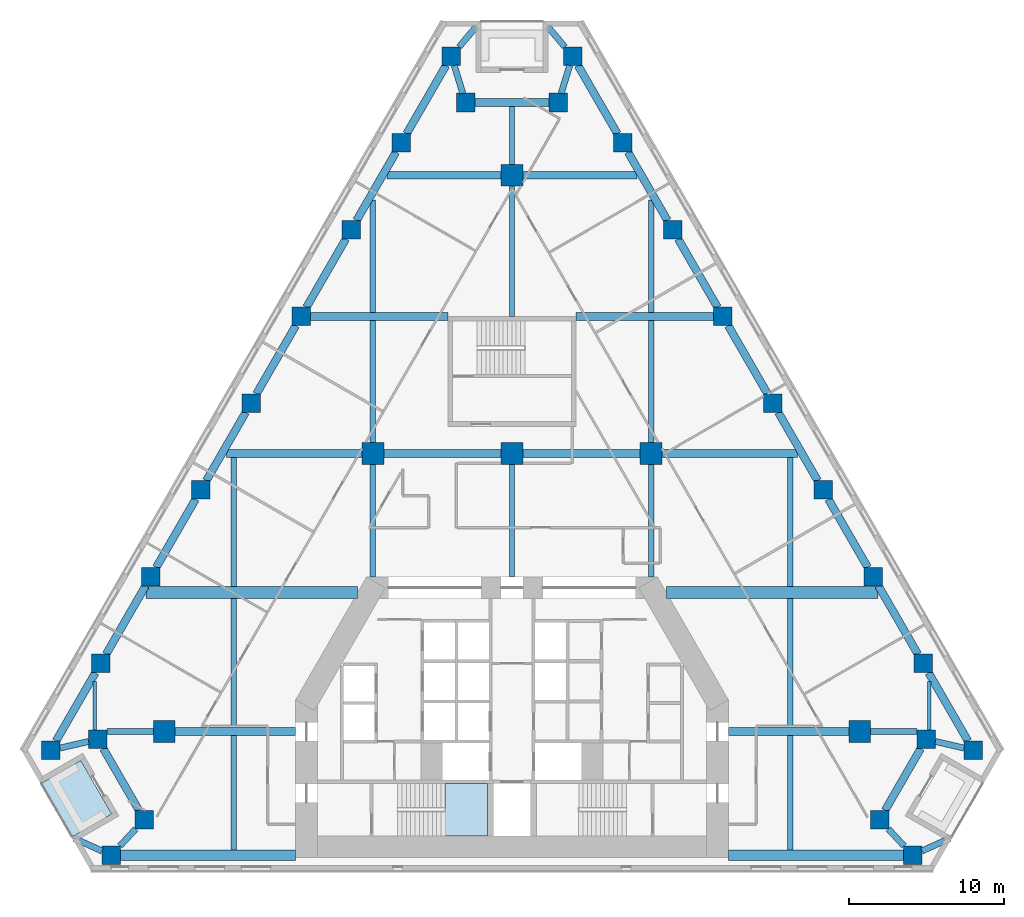
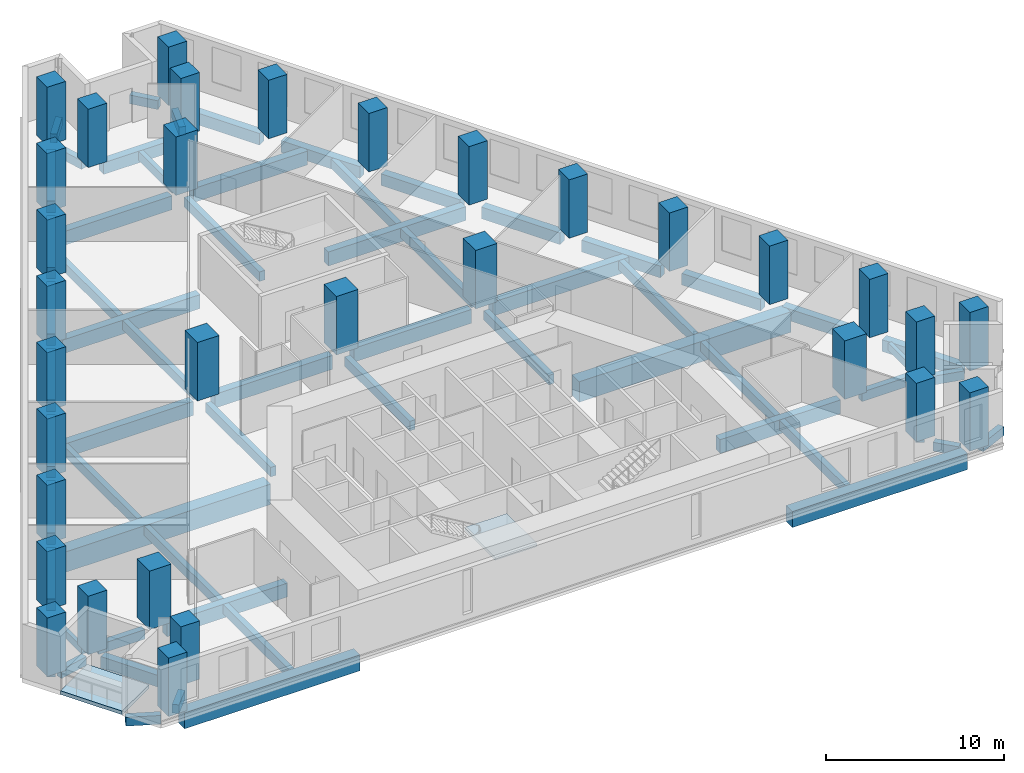
# One storey, part 1 of 11: 62 beams, 32 columns, 2 slabs, 1 element without a shape of its own.
"""IFC4 building model written with IfcOpenShell, lengths in metres."""

from ifc_helpers import new_model, si_unit, direction, frame, origin, origin_2d, place, context, subcontext, project, spatial, polyline, rectangle, outline, extrude, material, layer, layer_set, material_profile, profile_set, type_object, element, aggregate, save


model = new_model("IFC4")

# Units and contexts
model_context = context("Model", 3, precision=1e-05, world=origin(), true_north=direction((0.0, 1.0)))
body_context = subcontext(model_context, "Body", "Model", "MODEL_VIEW")
ifc_project = project(units=[si_unit("LENGTHUNIT", "METRE"), si_unit("AREAUNIT", "SQUARE_METRE"), si_unit("VOLUMEUNIT", "CUBIC_METRE"), si_unit("PLANEANGLEUNIT", "RADIAN"), si_unit("MASSUNIT", "GRAM", prefix="KILO")], contexts=[model_context])

# Site, building, storey
site_placement = place(None, origin())
site = spatial("IfcSite", under=ifc_project, at=site_placement, CompositionType="ELEMENT")
building_placement = place(site_placement, origin())
building = spatial("IfcBuilding", under=site, at=building_placement, Name="Fogline Exchange Tower", CompositionType="ELEMENT")
storey_placement = place(building_placement, frame((0.0, 0.0, 52.89990234375)))
storey = spatial("IfcBuildingStorey", under=building, at=storey_placement, Name="L10", CompositionType="ELEMENT", Elevation=52.89990234375)

# Columns
ifc_material_1 = material(Name="Concrete C80", Category="concrete")
ifc_material_profile_1 = material_profile(ifc_material_1, rectangle(XDim=1.199951171875, YDim=1.199951171875, at=origin_2d()), Name="RC 1200x1200")
ifc_profile_set_1 = profile_set([ifc_material_profile_1], Name="Concrete C80")
column_type_1 = type_object("IfcColumnType", Name="C01", PredefinedType="COLUMN", material=ifc_profile_set_1)
for number, where, z_axis, x_axis, name in (
    (1, (-29.855712890625, 7.794189453125, 0.0), (0.0, 0.0, 1.0), (1.0, 0.0, 0.0), "SW-a"),
    (2, (-26.79638671875, 8.4951171875, 0.0), (0.0, 0.0, 1.0), (1.0, 0.0, 0.0), "SW-p4"),
    (3, (-23.79638671875, 3.299072265625, 0.0), (0.0, 0.0, 1.0), (1.0, 0.0, 0.0), "SW-p3"),
    (4, (-25.93310546875, 1.0, 0.0), (0.0, 0.0, 1.0), (1.0, 0.0, 0.0), "SW-b"),
    (5, (25.93310546875, 1.0, 0.0), (0.0, 0.0, 1.0), (1.0, 0.0, 0.0), "SE-a"),
    (6, (23.79638671875, 3.299072265625, 0.0), (0.0, 0.0, 1.0), (1.0, 0.0, 0.0), "SE-p4"),
    (7, (26.79638671875, 8.4951171875, 0.0), (0.0, 0.0, 1.0), (1.0, 0.0, 0.0), "SE-p3"),
    (8, (29.855712890625, 7.794189453125, 0.0), (0.0, 0.0, 1.0), (1.0, 0.0, 0.0), "SE-b"),
    (9, (26.614013671875, 13.408935546875, 0.0), (0.0, 0.0, 1.0), (1.0, 0.0, 0.0), "E1"),
    (10, (23.37255859375, 19.023681640625, 0.0), (0.0, 0.0, 1.0), (1.0, 0.0, 0.0), "E2"),
    (11, (20.130859375, 24.63818359375, 0.0), (0.0, 0.0, 1.0), (1.0, 0.0, 0.0), "E3"),
    (12, (16.88916015625, 30.2529296875, 0.0), (0.0, 0.0, 1.0), (1.0, 0.0, 0.0), "E4"),
    (13, (13.647705078125, 35.86767578125, 0.0), (0.0, 0.0, 1.0), (1.0, 0.0, 0.0), "E5"),
    (14, (10.406005859375, 41.482421875, 0.0), (0.0, 0.0, 1.0), (1.0, 0.0, 0.0), "E6"),
    (15, (7.164306640625, 47.096923828125, 0.0), (0.0, 0.0, 1.0), (1.0, 0.0, 0.0), "E7"),
    (16, (3.922607421875, 52.711669921875, 0.0), (0.0, 0.0, 1.0), (1.0, 0.0, 0.0), "N-a"),
    (17, (3.0, 49.711669921875, 0.0), (0.0, 0.0, 1.0), (1.0, 0.0, 0.0), "N-p4"),
    (18, (-3.0, 49.711669921875, 0.0), (0.0, 0.0, 1.0), (1.0, 0.0, 0.0), "N-p3"),
    (19, (-3.922607421875, 52.711669921875, 0.0), (0.0, 0.0, 1.0), (1.0, 0.0, 0.0), "N-b"),
    (20, (-7.164306640625, 47.096923828125, 0.0), (0.0, 0.0, 1.0), (1.0, 0.0, 0.0), "W1"),
    (21, (-10.406005859375, 41.482421875, 0.0), (0.0, 0.0, 1.0), (1.0, 0.0, 0.0), "W2"),
    (22, (-13.647705078125, 35.86767578125, 0.0), (0.0, 0.0, 1.0), (1.0, 0.0, 0.0), "W3"),
    (23, (-16.88916015625, 30.2529296875, 0.0), (0.0, 0.0, 1.0), (1.0, 0.0, 0.0), "W4"),
    (24, (-20.130859375, 24.63818359375, 0.0), (0.0, 0.0, 1.0), (1.0, 0.0, 0.0), "W5"),
    (25, (-23.37255859375, 19.023681640625, 0.0), (0.0, 0.0, 1.0), (1.0, 0.0, 0.0), "W6"),
    (26, (-26.614013671875, 13.408935546875, 0.0), (0.0, 0.0, 1.0), (1.0, 0.0, 0.0), "W7"),
):
    element("IfcColumn", number, at=place(storey_placement, frame(where, z_axis=z_axis, x_axis=x_axis)), inside=storey, type_object=column_type_1, Name=name, PredefinedType="COLUMN", context=body_context, shape_type="SweptSolid", body=[
        extrude(rectangle(XDim=1.199951171875, YDim=1.199951171875, at=origin_2d()), origin(), (0.0, 0.0, 1.0), 4.0),
    ])
ifc_material_profile_2 = material_profile(ifc_material_1, rectangle(XDim=1.39990234375, YDim=1.39990234375, at=origin_2d()), Name="RC 1400x1400")
ifc_profile_set_2 = profile_set([ifc_material_profile_2], Name="Concrete C80")
column_type_2 = type_object("IfcColumnType", Name="C02", PredefinedType="COLUMN", material=ifc_profile_set_2)
for number, where, z_axis, x_axis, name in (
    (27, (-9.0, 27.0, 0.0), (0.0, 0.0, 1.0), (1.0, 0.0, 0.0), "IC--9-27"),
    (28, (0.0, 27.0, 0.0), (0.0, 0.0, 1.0), (1.0, 0.0, 0.0), "IC-0-27"),
    (29, (9.0, 27.0, 0.0), (0.0, 0.0, 1.0), (1.0, 0.0, 0.0), "IC-9-27"),
    (30, (0.0, 45.0, 0.0), (0.0, 0.0, 1.0), (1.0, 0.0, 0.0), "IC-0-45"),
    (31, (-22.5, 9.0, 0.0), (0.0, 0.0, 1.0), (1.0, 0.0, 0.0), "IC--225-9"),
    (32, (22.5, 9.0, 0.0), (0.0, 0.0, 1.0), (1.0, 0.0, 0.0), "IC-225-9"),
):
    element("IfcColumn", number, at=place(storey_placement, frame(where, z_axis=z_axis, x_axis=x_axis)), inside=storey, type_object=column_type_2, Name=name, PredefinedType="COLUMN", context=body_context, shape_type="SweptSolid", body=[
        extrude(rectangle(XDim=1.39990234375, YDim=1.39990234375, at=origin_2d()), origin(), (0.0, 0.0, 1.0), 4.0),
    ])

# Beams
ifc_material_2 = material(Name="Concrete C40", Category="concrete")
ifc_material_profile_3 = material_profile(ifc_material_2, rectangle(XDim=0.300048828125, YDim=0.60009765625, at=origin_2d()), Name="RC 300x600")
ifc_profile_set_3 = profile_set([ifc_material_profile_3], Name="Concrete C40")
beam_type_1 = type_object("IfcBeamType", Name="B06", PredefinedType="BEAM", material=ifc_profile_set_3)
beam_1_placement = place(storey_placement, frame((0.0, 45.699951171875, -0.599853515625), z_axis=(0.0, 1.0, 0.0), x_axis=(-1.0, 0.0, 0.0)))
element("IfcBeam", 33, at=beam_1_placement, inside=storey, type_object=beam_type_1, Name="SB010", PredefinedType="BEAM", context=body_context, shape_type="SweptSolid", body=[
    extrude(rectangle(XDim=0.300048828125, YDim=0.60009765625, at=origin_2d()), origin(), (0.0, 0.0, 1.0), 3.76171875),
])
ifc_material_profile_4 = material_profile(ifc_material_2, rectangle(XDim=0.25, YDim=0.5, at=origin_2d()), Name="RC 250x500")
ifc_profile_set_4 = profile_set([ifc_material_profile_4], Name="Concrete C40")
beam_type_2 = type_object("IfcBeamType", Name="B08", PredefinedType="BEAM", material=ifc_profile_set_4)
for number, where, z_axis, x_axis, name in (
    (34, (-27.0, 9.09521484375, -0.5498046875), (0.0, 1.0, 0.0), (-1.0, 0.0, 0.0), "SB001"),
    (35, (27.0, 9.09521484375, -0.5498046875), (0.0, 1.0, 0.0), (-1.0, 0.0, 0.0), "SB017"),
):
    element("IfcBeam", number, at=place(storey_placement, frame(where, z_axis=z_axis, x_axis=x_axis)), inside=storey, type_object=beam_type_2, Name=name, PredefinedType="BEAM", context=body_context, shape_type="SweptSolid", body=[
        extrude(rectangle(XDim=0.25, YDim=0.5, at=origin_2d()), origin(), (0.0, 0.0, 1.0), 3.145263671875),
    ])
ifc_material_profile_5 = material_profile(ifc_material_2, rectangle(XDim=0.5, YDim=0.800048828125, at=origin_2d()), Name="RC 500x800")
ifc_profile_set_5 = profile_set([ifc_material_profile_5], Name="Concrete C40")
beam_type_3 = type_object("IfcBeamType", Name="B10", PredefinedType="BEAM", material=ifc_profile_set_5)
for number, where, z_axis, x_axis, name in (
    (36, (-26.449951171875, 7.895263671875, -0.699951171875), (0.500014024385, -0.866017306651, 0.0), (0.866017306651, 0.500014024385, 0.0), "RB002"),
    (37, (24.142578125, 3.89892578125, -0.699951171875), (0.500014024385, 0.866017306651, 0.0), (-0.866017306651, 0.500014024385, 0.0), "RB007"),
):
    element("IfcBeam", number, at=place(storey_placement, frame(where, z_axis=z_axis, x_axis=x_axis)), inside=storey, type_object=beam_type_3, Name=name, PredefinedType="BEAM", context=body_context, shape_type="SweptSolid", body=[
        extrude(rectangle(XDim=0.5, YDim=0.800048828125, at=origin_2d()), origin(), (0.0, 0.0, 1.0), 4.614501953125),
    ])
beam_2_placement = place(storey_placement, frame((29.50927734375, 8.394287109375, -0.699951171875), z_axis=(-0.500012659481, 0.866018094706, 0.0), x_axis=(-0.866018094706, -0.500012659481, 0.0)))
element("IfcBeam", 38, at=beam_2_placement, inside=storey, type_object=beam_type_3, Name="RB009", PredefinedType="BEAM", context=body_context, shape_type="SweptSolid", body=[
    extrude(rectangle(XDim=0.5, YDim=0.800048828125, at=origin_2d()), origin(), (0.0, 0.0, 1.0), 5.097412109375),
])
for number, where, z_axis, x_axis, name in (
    (39, (26.267578125, 14.0087890625, -0.699951171875), (-0.499956000529, 0.8660508054, 0.0), (-0.8660508054, -0.499956000529, 0.0), "RB010"),
    (40, (23.026123046875, 19.62353515625, -0.699951171875), (-0.499991921166, 0.866030068051, 0.0), (-0.866030068051, -0.499991921166, 0.0), "RB011"),
):
    element("IfcBeam", number, at=place(storey_placement, frame(where, z_axis=z_axis, x_axis=x_axis)), inside=storey, type_object=beam_type_3, Name=name, PredefinedType="BEAM", context=body_context, shape_type="SweptSolid", body=[
        extrude(rectangle(XDim=0.5, YDim=0.800048828125, at=origin_2d()), origin(), (0.0, 0.0, 1.0), 5.09765625),
    ])
beam_3_placement = place(storey_placement, frame((19.784423828125, 25.23828125, -0.699951171875), z_axis=(-0.500012659481, 0.866018094706, 0.0), x_axis=(-0.866018094706, -0.500012659481, 0.0)))
element("IfcBeam", 41, at=beam_3_placement, inside=storey, type_object=beam_type_3, Name="RB012", PredefinedType="BEAM", context=body_context, shape_type="SweptSolid", body=[
    extrude(rectangle(XDim=0.5, YDim=0.800048828125, at=origin_2d()), origin(), (0.0, 0.0, 1.0), 5.097412109375),
])
for number, where, z_axis, x_axis, name in (
    (42, (16.542724609375, 30.852783203125, -0.699951171875), (-0.499991921166, 0.866030068051, 0.0), (-0.866030068051, -0.499991921166, 0.0), "RB013"),
    (43, (13.301025390625, 36.467529296875, -0.699951171875), (-0.499991921166, 0.866030068051, 0.0), (-0.866030068051, -0.499991921166, 0.0), "RB014"),
    (44, (10.0595703125, 42.082275390625, -0.699951171875), (-0.499991921166, 0.866030068051, 0.0), (-0.866030068051, -0.499991921166, 0.0), "RB015"),
    (45, (6.81787109375, 47.697021484375, -0.699951171875), (-0.499991921166, 0.866030068051, 0.0), (-0.866030068051, -0.499991921166, 0.0), "RB016"),
):
    element("IfcBeam", number, at=place(storey_placement, frame(where, z_axis=z_axis, x_axis=x_axis)), inside=storey, type_object=beam_type_3, Name=name, PredefinedType="BEAM", context=body_context, shape_type="SweptSolid", body=[
        extrude(rectangle(XDim=0.5, YDim=0.800048828125, at=origin_2d()), origin(), (0.0, 0.0, 1.0), 5.09765625),
    ])
beam_4_placement = place(storey_placement, frame((2.39990234375, 49.711669921875, -0.699951171875), z_axis=(-1.0, 0.0, 0.0), x_axis=(0.0, -1.0, 0.0)))
element("IfcBeam", 46, at=beam_4_placement, inside=storey, type_object=beam_type_3, Name="RB018", PredefinedType="BEAM", context=body_context, shape_type="SweptSolid", body=[
    extrude(rectangle(XDim=0.5, YDim=0.800048828125, at=origin_2d()), origin(), (0.0, 0.0, 1.0), 4.7998046875),
])
for number, where, z_axis, x_axis, name in (
    (47, (-4.26904296875, 52.11181640625, -0.699951171875), (-0.499991921166, -0.866030068051, 0.0), (0.866030068051, -0.499991921166, 0.0), "RB020"),
    (48, (-7.5107421875, 46.4970703125, -0.699951171875), (-0.499991921166, -0.866030068051, 0.0), (0.866030068051, -0.499991921166, 0.0), "RB021"),
    (49, (-10.752197265625, 40.88232421875, -0.699951171875), (-0.499991921166, -0.866030068051, 0.0), (0.866030068051, -0.499991921166, 0.0), "RB022"),
    (50, (-13.993896484375, 35.267578125, -0.699951171875), (-0.499991921166, -0.866030068051, 0.0), (0.866030068051, -0.499991921166, 0.0), "RB023"),
):
    element("IfcBeam", number, at=place(storey_placement, frame(where, z_axis=z_axis, x_axis=x_axis)), inside=storey, type_object=beam_type_3, Name=name, PredefinedType="BEAM", context=body_context, shape_type="SweptSolid", body=[
        extrude(rectangle(XDim=0.5, YDim=0.800048828125, at=origin_2d()), origin(), (0.0, 0.0, 1.0), 5.09765625),
    ])
beam_5_placement = place(storey_placement, frame((-17.235595703125, 29.65283203125, -0.699951171875), z_axis=(-0.500012659481, -0.866018094706, 0.0), x_axis=(0.866018094706, -0.500012659481, 0.0)))
element("IfcBeam", 51, at=beam_5_placement, inside=storey, type_object=beam_type_3, Name="RB024", PredefinedType="BEAM", context=body_context, shape_type="SweptSolid", body=[
    extrude(rectangle(XDim=0.5, YDim=0.800048828125, at=origin_2d()), origin(), (0.0, 0.0, 1.0), 5.097412109375),
])
for number, where, z_axis, x_axis, name in (
    (52, (-20.477294921875, 24.038330078125, -0.699951171875), (-0.499991921166, -0.866030068051, 0.0), (0.866030068051, -0.499991921166, 0.0), "RB025"),
    (53, (-23.718994140625, 18.423583984375, -0.699951171875), (-0.499956000529, -0.8660508054, 0.0), (0.8660508054, -0.499956000529, 0.0), "RB026"),
):
    element("IfcBeam", number, at=place(storey_placement, frame(where, z_axis=z_axis, x_axis=x_axis)), inside=storey, type_object=beam_type_3, Name=name, PredefinedType="BEAM", context=body_context, shape_type="SweptSolid", body=[
        extrude(rectangle(XDim=0.5, YDim=0.800048828125, at=origin_2d()), origin(), (0.0, 0.0, 1.0), 5.09765625),
    ])
beam_6_placement = place(storey_placement, frame((-26.96044921875, 12.808837890625, -0.699951171875), z_axis=(-0.500012659481, -0.866018094706, 0.0), x_axis=(0.866018094706, -0.500012659481, 0.0)))
element("IfcBeam", 54, at=beam_6_placement, inside=storey, type_object=beam_type_3, Name="RB027", PredefinedType="BEAM", context=body_context, shape_type="SweptSolid", body=[
    extrude(rectangle(XDim=0.5, YDim=0.800048828125, at=origin_2d()), origin(), (0.0, 0.0, 1.0), 5.097412109375),
])
ifc_material_profile_6 = material_profile(ifc_material_2, rectangle(XDim=0.39990234375, YDim=0.60009765625, at=origin_2d()), Name="RC 400x600")
ifc_profile_set_6 = profile_set([ifc_material_profile_6], Name="Concrete C40")
beam_type_4 = type_object("IfcBeamType", Name="B11", PredefinedType="BEAM", material=ifc_profile_set_6)
beam_7_placement = place(storey_placement, frame((-29.255615234375, 7.931640625, -0.599853515625), z_axis=(0.974741606569, 0.223335622829, 0.0), x_axis=(-0.223335622829, 0.974741606569, 0.0)))
element("IfcBeam", 55, at=beam_7_placement, inside=storey, type_object=beam_type_4, Name="RB001", PredefinedType="BEAM", context=body_context, shape_type="SweptSolid", body=[
    extrude(rectangle(XDim=0.39990234375, YDim=0.60009765625, at=origin_2d()), origin(), (0.0, 0.0, 1.0), 1.907470703125),
])
for number, where, z_axis, x_axis, name in (
    (56, (-24.35400390625, 2.698974609375, -0.599853515625), (-0.680844217962, -0.732428256464, 0.0), (0.732428256464, -0.680844217962, 0.0), "RB003"),
    (57, (25.37548828125, 1.60009765625, -0.599853515625), (-0.680844217962, 0.732428256464, 0.0), (-0.732428256464, -0.680844217962, 0.0), "RB006"),
):
    element("IfcBeam", number, at=place(storey_placement, frame(where, z_axis=z_axis, x_axis=x_axis)), inside=storey, type_object=beam_type_4, Name=name, PredefinedType="BEAM", context=body_context, shape_type="SweptSolid", body=[
        extrude(rectangle(XDim=0.39990234375, YDim=0.60009765625, at=origin_2d()), origin(), (0.0, 0.0, 1.0), 1.500244140625),
    ])
beam_8_placement = place(storey_placement, frame((27.396240234375, 8.357666015625, -0.599853515625), z_axis=(0.974741606569, -0.223335622829, 0.0), x_axis=(0.223335622829, 0.974741606569, 0.0)))
element("IfcBeam", 58, at=beam_8_placement, inside=storey, type_object=beam_type_4, Name="RB008", PredefinedType="BEAM", context=body_context, shape_type="SweptSolid", body=[
    extrude(rectangle(XDim=0.39990234375, YDim=0.60009765625, at=origin_2d()), origin(), (0.0, 0.0, 1.0), 1.907470703125),
])
for number, where, z_axis, x_axis, name in (
    (59, (3.738037109375, 52.11181640625, -0.599853515625), (-0.293894535925, -0.955837853275, 0.0), (0.955837853275, -0.293894535925, 0.0), "RB017"),
    (60, (-3.1845703125, 50.311767578125, -0.599853515625), (-0.293894535925, 0.955837853275, 0.0), (-0.955837853275, -0.293894535925, 0.0), "RB019"),
):
    element("IfcBeam", number, at=place(storey_placement, frame(where, z_axis=z_axis, x_axis=x_axis)), inside=storey, type_object=beam_type_4, Name=name, PredefinedType="BEAM", context=body_context, shape_type="SweptSolid", body=[
        extrude(rectangle(XDim=0.39990234375, YDim=0.60009765625, at=origin_2d()), origin(), (0.0, 0.0, 1.0), 1.88330078125),
    ])
beam_9_placement = place(storey_placement, frame((3.418701171875, 53.311767578125, -0.599853515625), z_axis=(-0.643051132195, 0.765823244217, 0.0), x_axis=(-0.765823244217, -0.643051132195, 0.0)))
element("IfcBeam", 61, at=beam_9_placement, inside=storey, type_object=beam_type_4, Name="SP028", PredefinedType="BEAM", context=body_context, shape_type="SweptSolid", body=[
    extrude(rectangle(XDim=0.39990234375, YDim=0.60009765625, at=origin_2d()), origin(), (0.0, 0.0, 1.0), 1.706298828125),
])
beam_10_placement = place(storey_placement, frame((-3.41943359375, 53.311767578125, -0.599853515625), z_axis=(0.642644786518, 0.766164263303, 0.0), x_axis=(-0.766164263303, 0.642644786518, 0.0)))
element("IfcBeam", 62, at=beam_10_placement, inside=storey, type_object=beam_type_4, Name="SP029", PredefinedType="BEAM", context=body_context, shape_type="SweptSolid", body=[
    extrude(rectangle(XDim=0.39990234375, YDim=0.60009765625, at=origin_2d()), origin(), (0.0, 0.0, 1.0), 1.705810546875),
])
beam_11_placement = place(storey_placement, frame((26.533203125, 1.27197265625, -0.599853515625), z_axis=(0.91087792789, 0.412675902473, 0.0), x_axis=(-0.412675902473, 0.91087792789, 0.0)))
element("IfcBeam", 63, at=beam_11_placement, inside=storey, type_object=beam_type_4, Name="SP030", PredefinedType="BEAM", context=body_context, shape_type="SweptSolid", body=[
    extrude(rectangle(XDim=0.39990234375, YDim=0.60009765625, at=origin_2d()), origin(), (0.0, 0.0, 1.0), 1.975341796875),
])
beam_12_placement = place(storey_placement, frame((-26.533203125, 1.271484375, -0.599853515625), z_axis=(-0.911050486543, 0.412294810748, 0.0), x_axis=(-0.412294810748, -0.911050486543, 0.0)))
element("IfcBeam", 64, at=beam_12_placement, inside=storey, type_object=beam_type_4, Name="SP031", PredefinedType="BEAM", context=body_context, shape_type="SweptSolid", body=[
    extrude(rectangle(XDim=0.39990234375, YDim=0.60009765625, at=origin_2d()), origin(), (0.0, 0.0, 1.0), 1.9765625),
])
ifc_material_profile_7 = material_profile(ifc_material_2, rectangle(XDim=0.699951171875, YDim=1.10009765625, at=origin_2d()), Name="RC 700x1100")
ifc_profile_set_7 = profile_set([ifc_material_profile_7], Name="Concrete C40")
beam_type_5 = type_object("IfcBeamType", Name="B12", PredefinedType="BEAM", material=ifc_profile_set_7)
for number, where, z_axis, x_axis, name in (
    (65, (-25.3330078125, 1.0, -0.849853515625), (1.0, 0.0, 0.0), (0.0, 1.0, 0.0), "RB004"),
    (66, (14.0, 1.0, -0.849853515625), (1.0, 0.0, 0.0), (0.0, 1.0, 0.0), "RB005"),
):
    element("IfcBeam", number, at=place(storey_placement, frame(where, z_axis=z_axis, x_axis=x_axis)), inside=storey, type_object=beam_type_5, Name=name, PredefinedType="BEAM", context=body_context, shape_type="SweptSolid", body=[
        extrude(rectangle(XDim=0.699951171875, YDim=1.10009765625, at=origin_2d()), origin(), (0.0, 0.0, 1.0), 11.3330078125),
    ])
ifc_material_profile_8 = material_profile(ifc_material_2, rectangle(XDim=0.39990234375, YDim=0.64990234375, at=origin_2d()), Name="RC 400x650")
ifc_profile_set_8 = profile_set([ifc_material_profile_8], Name="Concrete C40")
beam_type_6 = type_object("IfcBeamType", Name="B13", PredefinedType="BEAM", material=ifc_profile_set_8)
for number, where, z_axis, x_axis, name in (
    (67, (-26.1962890625, 9.0, -0.625), (1.0, 0.0, 0.0), (0.0, 1.0, 0.0), "GB001"),
    (68, (23.199951171875, 9.0, -0.625), (1.0, 0.0, 0.0), (0.0, 1.0, 0.0), "GB004"),
):
    element("IfcBeam", number, at=place(storey_placement, frame(where, z_axis=z_axis, x_axis=x_axis)), inside=storey, type_object=beam_type_6, Name=name, PredefinedType="BEAM", context=body_context, shape_type="SweptSolid", body=[
        extrude(rectangle(XDim=0.39990234375, YDim=0.64990234375, at=origin_2d()), origin(), (0.0, 0.0, 1.0), 2.996337890625),
    ])
ifc_material_profile_9 = material_profile(ifc_material_2, rectangle(XDim=0.5, YDim=0.949951171875, at=origin_2d()), Name="RC 500x950")
ifc_profile_set_9 = profile_set([ifc_material_profile_9], Name="Concrete C40")
beam_type_7 = type_object("IfcBeamType", Name="B14", PredefinedType="BEAM", material=ifc_profile_set_9)
for number, where, z_axis, x_axis, name in (
    (69, (-21.800048828125, 9.0, -0.77490234375), (1.0, 0.0, 0.0), (0.0, 1.0, 0.0), "GB002"),
    (70, (14.0, 9.0, -0.77490234375), (1.0, 0.0, 0.0), (0.0, 1.0, 0.0), "GB003"),
):
    element("IfcBeam", number, at=place(storey_placement, frame(where, z_axis=z_axis, x_axis=x_axis)), inside=storey, type_object=beam_type_7, Name=name, PredefinedType="BEAM", context=body_context, shape_type="SweptSolid", body=[
        extrude(rectangle(XDim=0.5, YDim=0.949951171875, at=origin_2d()), origin(), (0.0, 0.0, 1.0), 7.800048828125),
    ])
beam_13_placement = place(storey_placement, frame((-18.478515625, 27.0, -0.77490234375), z_axis=(1.0, 0.0, 0.0), x_axis=(0.0, 1.0, 0.0)))
element("IfcBeam", 71, at=beam_13_placement, inside=storey, type_object=beam_type_7, Name="GB007", PredefinedType="BEAM", context=body_context, shape_type="SweptSolid", body=[
    extrude(rectangle(XDim=0.5, YDim=0.949951171875, at=origin_2d()), origin(), (0.0, 0.0, 1.0), 8.778564453125),
])
for number, where, z_axis, x_axis, name in (
    (72, (-8.300048828125, 27.0, -0.77490234375), (1.0, 0.0, 0.0), (0.0, 1.0, 0.0), "GB008"),
    (73, (0.699951171875, 27.0, -0.77490234375), (1.0, 0.0, 0.0), (0.0, 1.0, 0.0), "GB009"),
):
    element("IfcBeam", number, at=place(storey_placement, frame(where, z_axis=z_axis, x_axis=x_axis)), inside=storey, type_object=beam_type_7, Name=name, PredefinedType="BEAM", context=body_context, shape_type="SweptSolid", body=[
        extrude(rectangle(XDim=0.5, YDim=0.949951171875, at=origin_2d()), origin(), (0.0, 0.0, 1.0), 7.60009765625),
    ])
beam_14_placement = place(storey_placement, frame((9.699951171875, 27.0, -0.77490234375), z_axis=(1.0, 0.0, 0.0), x_axis=(0.0, 1.0, 0.0)))
element("IfcBeam", 74, at=beam_14_placement, inside=storey, type_object=beam_type_7, Name="GB010", PredefinedType="BEAM", context=body_context, shape_type="SweptSolid", body=[
    extrude(rectangle(XDim=0.5, YDim=0.949951171875, at=origin_2d()), origin(), (0.0, 0.0, 1.0), 8.778564453125),
])
for number, where, z_axis, x_axis, name in (
    (75, (-13.047607421875, 35.85693359375, -0.77490234375), (1.0, 0.0, 0.0), (0.0, 1.0, 0.0), "GB011"),
    (76, (4.14990234375, 35.85693359375, -0.77490234375), (1.0, 0.0, 0.0), (0.0, 1.0, 0.0), "GB012"),
):
    element("IfcBeam", number, at=place(storey_placement, frame(where, z_axis=z_axis, x_axis=x_axis)), inside=storey, type_object=beam_type_7, Name=name, PredefinedType="BEAM", context=body_context, shape_type="SweptSolid", body=[
        extrude(rectangle(XDim=0.5, YDim=0.949951171875, at=origin_2d()), origin(), (0.0, 0.0, 1.0), 8.897705078125),
    ])
for number, where, z_axis, x_axis, name in (
    (77, (-8.086181640625, 45.0, -0.77490234375), (1.0, 0.0, 0.0), (0.0, 1.0, 0.0), "GB013"),
    (78, (0.699951171875, 45.0, -0.77490234375), (1.0, 0.0, 0.0), (0.0, 1.0, 0.0), "GB014"),
):
    element("IfcBeam", number, at=place(storey_placement, frame(where, z_axis=z_axis, x_axis=x_axis)), inside=storey, type_object=beam_type_7, Name=name, PredefinedType="BEAM", context=body_context, shape_type="SweptSolid", body=[
        extrude(rectangle(XDim=0.5, YDim=0.949951171875, at=origin_2d()), origin(), (0.0, 0.0, 1.0), 7.38623046875),
    ])
ifc_material_profile_10 = material_profile(ifc_material_2, rectangle(XDim=0.800048828125, YDim=1.39990234375, at=origin_2d()), Name="RC 800x1400")
ifc_profile_set_10 = profile_set([ifc_material_profile_10], Name="Concrete C40")
beam_type_8 = type_object("IfcBeamType", Name="B15", PredefinedType="BEAM", material=ifc_profile_set_10)
for number, where, z_axis, x_axis, name in (
    (79, (-23.6748046875, 18.0, -1.0), (1.0, 0.0, 0.0), (0.0, 1.0, 0.0), "GB005"),
    (80, (9.989013671875, 18.0, -1.0), (1.0, 0.0, 0.0), (0.0, 1.0, 0.0), "GB006"),
):
    element("IfcBeam", number, at=place(storey_placement, frame(where, z_axis=z_axis, x_axis=x_axis)), inside=storey, type_object=beam_type_8, Name=name, PredefinedType="BEAM", context=body_context, shape_type="SweptSolid", body=[
        extrude(rectangle(XDim=0.800048828125, YDim=1.39990234375, at=origin_2d()), origin(), (0.0, 0.0, 1.0), 13.685791015625),
    ])
ifc_material_profile_11 = material_profile(ifc_material_2, rectangle(XDim=0.35009765625, YDim=0.64990234375, at=origin_2d()), Name="RC 350x650")
ifc_profile_set_11 = profile_set([ifc_material_profile_11], Name="Concrete C40")
beam_type_9 = type_object("IfcBeamType", Name="B16", PredefinedType="BEAM", material=ifc_profile_set_11)
beam_15_placement = place(storey_placement, frame((-18.0, 1.35009765625, -0.625), z_axis=(0.0, 1.0, 0.0), x_axis=(-1.0, 0.0, 0.0)))
element("IfcBeam", 81, at=beam_15_placement, inside=storey, type_object=beam_type_9, Name="SB002", PredefinedType="BEAM", context=body_context, shape_type="SweptSolid", body=[
    extrude(rectangle(XDim=0.35009765625, YDim=0.64990234375, at=origin_2d()), origin(), (0.0, 0.0, 1.0), 7.39990234375),
])
for number, where, z_axis, x_axis, name in (
    (82, (-18.0, 9.25, -0.625), (0.0, 1.0, 0.0), (-1.0, 0.0, 0.0), "SB003"),
    (83, (-18.0, 18.39990234375, -0.625), (0.0, 1.0, 0.0), (-1.0, 0.0, 0.0), "SB004"),
):
    element("IfcBeam", number, at=place(storey_placement, frame(where, z_axis=z_axis, x_axis=x_axis)), inside=storey, type_object=beam_type_9, Name=name, PredefinedType="BEAM", context=body_context, shape_type="SweptSolid", body=[
        extrude(rectangle(XDim=0.35009765625, YDim=0.64990234375, at=origin_2d()), origin(), (0.0, 0.0, 1.0), 8.35009765625),
    ])
beam_16_placement = place(storey_placement, frame((-9.0, 19.0, -0.625), z_axis=(0.0, 1.0, 0.0), x_axis=(-1.0, 0.0, 0.0)))
element("IfcBeam", 84, at=beam_16_placement, inside=storey, type_object=beam_type_9, Name="SB005", PredefinedType="BEAM", context=body_context, shape_type="SweptSolid", body=[
    extrude(rectangle(XDim=0.35009765625, YDim=0.64990234375, at=origin_2d()), origin(), (0.0, 0.0, 1.0), 7.300048828125),
])
beam_17_placement = place(storey_placement, frame((-9.0, 27.699951171875, -0.625), z_axis=(0.0, 1.0, 0.0), x_axis=(-1.0, 0.0, 0.0)))
element("IfcBeam", 85, at=beam_17_placement, inside=storey, type_object=beam_type_9, Name="SB006", PredefinedType="BEAM", context=body_context, shape_type="SweptSolid", body=[
    extrude(rectangle(XDim=0.35009765625, YDim=0.64990234375, at=origin_2d()), origin(), (0.0, 0.0, 1.0), 7.906982421875),
])
beam_18_placement = place(storey_placement, frame((-9.0, 36.10693359375, -0.625), z_axis=(0.0, 1.0, 0.0), x_axis=(-1.0, 0.0, 0.0)))
element("IfcBeam", 86, at=beam_18_placement, inside=storey, type_object=beam_type_9, Name="SB007", PredefinedType="BEAM", context=body_context, shape_type="SweptSolid", body=[
    extrude(rectangle(XDim=0.35009765625, YDim=0.64990234375, at=origin_2d()), origin(), (0.0, 0.0, 1.0), 7.310546875),
])
beam_19_placement = place(storey_placement, frame((0.0, 19.0, -0.625), z_axis=(0.0, 1.0, 0.0), x_axis=(-1.0, 0.0, 0.0)))
element("IfcBeam", 87, at=beam_19_placement, inside=storey, type_object=beam_type_9, Name="SB008", PredefinedType="BEAM", context=body_context, shape_type="SweptSolid", body=[
    extrude(rectangle(XDim=0.35009765625, YDim=0.64990234375, at=origin_2d()), origin(), (0.0, 0.0, 1.0), 7.300048828125),
])
beam_20_placement = place(storey_placement, frame((0.0, 35.85693359375, -0.625), z_axis=(0.0, 1.0, 0.0), x_axis=(-1.0, 0.0, 0.0)))
element("IfcBeam", 88, at=beam_20_placement, inside=storey, type_object=beam_type_9, Name="SB009", PredefinedType="BEAM", context=body_context, shape_type="SweptSolid", body=[
    extrude(rectangle(XDim=0.35009765625, YDim=0.64990234375, at=origin_2d()), origin(), (0.0, 0.0, 1.0), 8.443115234375),
])
beam_21_placement = place(storey_placement, frame((9.0, 19.0, -0.625), z_axis=(0.0, 1.0, 0.0), x_axis=(-1.0, 0.0, 0.0)))
element("IfcBeam", 89, at=beam_21_placement, inside=storey, type_object=beam_type_9, Name="SB011", PredefinedType="BEAM", context=body_context, shape_type="SweptSolid", body=[
    extrude(rectangle(XDim=0.35009765625, YDim=0.64990234375, at=origin_2d()), origin(), (0.0, 0.0, 1.0), 7.300048828125),
])
beam_22_placement = place(storey_placement, frame((9.0, 27.699951171875, -0.625), z_axis=(0.0, 1.0, 0.0), x_axis=(-1.0, 0.0, 0.0)))
element("IfcBeam", 90, at=beam_22_placement, inside=storey, type_object=beam_type_9, Name="SB012", PredefinedType="BEAM", context=body_context, shape_type="SweptSolid", body=[
    extrude(rectangle(XDim=0.35009765625, YDim=0.64990234375, at=origin_2d()), origin(), (0.0, 0.0, 1.0), 7.906982421875),
])
beam_23_placement = place(storey_placement, frame((9.0, 36.10693359375, -0.625), z_axis=(0.0, 1.0, 0.0), x_axis=(-1.0, 0.0, 0.0)))
element("IfcBeam", 91, at=beam_23_placement, inside=storey, type_object=beam_type_9, Name="SB013", PredefinedType="BEAM", context=body_context, shape_type="SweptSolid", body=[
    extrude(rectangle(XDim=0.35009765625, YDim=0.64990234375, at=origin_2d()), origin(), (0.0, 0.0, 1.0), 7.310546875),
])
beam_24_placement = place(storey_placement, frame((18.0, 1.35009765625, -0.625), z_axis=(0.0, 1.0, 0.0), x_axis=(-1.0, 0.0, 0.0)))
element("IfcBeam", 92, at=beam_24_placement, inside=storey, type_object=beam_type_9, Name="SB014", PredefinedType="BEAM", context=body_context, shape_type="SweptSolid", body=[
    extrude(rectangle(XDim=0.35009765625, YDim=0.64990234375, at=origin_2d()), origin(), (0.0, 0.0, 1.0), 7.39990234375),
])
for number, where, z_axis, x_axis, name in (
    (93, (18.0, 9.25, -0.625), (0.0, 1.0, 0.0), (-1.0, 0.0, 0.0), "SB015"),
    (94, (18.0, 18.39990234375, -0.625), (0.0, 1.0, 0.0), (-1.0, 0.0, 0.0), "SB016"),
):
    element("IfcBeam", number, at=place(storey_placement, frame(where, z_axis=z_axis, x_axis=x_axis)), inside=storey, type_object=beam_type_9, Name=name, PredefinedType="BEAM", context=body_context, shape_type="SweptSolid", body=[
        extrude(rectangle(XDim=0.35009765625, YDim=0.64990234375, at=origin_2d()), origin(), (0.0, 0.0, 1.0), 8.35009765625),
    ])

# Slab
ifc_layer_1 = layer(ifc_material_2, 0.25)
ifc_layer_set_1 = layer_set([ifc_layer_1], Name="DK1")
slab_type_1 = type_object("IfcSlabType", Name="DK1", PredefinedType="FLOOR", material=ifc_layer_set_1)
slab_1_placement = place(storey_placement, frame((0.0, 0.0, -0.25)))
element("IfcSlab", 95, at=slab_1_placement, inside=storey, type_object=slab_type_1, Name="Balcony L10 SW", PredefinedType="FLOOR", context=body_context, shape_type="SweptSolid", body=[
    extrude(outline(polyline([(-30.505126953125, 5.629150390625), (-28.505126953125, 2.1650390625), (-25.906982421875, 3.6650390625), (-27.906982421875, 7.129150390625), (-30.505126953125, 5.629150390625)])), origin(), (0.0, 0.0, 1.0), 0.25),
])

# Stair, slab
stair_type = type_object("IfcStairType", Name="STR24-1667", PredefinedType="HALF_TURN_STAIR", material=ifc_material_2)
stair_placement = place(storey_placement, origin())
stair = element("IfcStair", 96, at=stair_placement, inside=storey, type_object=stair_type, Name="Stair ST1", PredefinedType="HALF_TURN_STAIR")
ifc_layer_2 = layer(ifc_material_2, 0.199951171875)
ifc_layer_set_2 = layer_set([ifc_layer_2], Name="SL200")
slab_type_2 = type_object("IfcSlabType", Name="SL200", PredefinedType="LANDING", material=ifc_layer_set_2)
slab_2_placement = place(storey_placement, frame((0.0, 0.0, 1.800048828125)))
slab_2 = element("IfcSlab", 97, at=slab_2_placement, type_object=slab_type_2, Name="ST1 landing 1", PredefinedType="LANDING", context=body_context, shape_type="SweptSolid", body=[
    extrude(outline(polyline([(-4.320068359375, 2.25), (-1.60009765625, 2.25), (-1.60009765625, 5.64990234375), (-4.320068359375, 5.64990234375), (-4.320068359375, 2.25)])), origin(), (0.0, 0.0, 1.0), 0.199951171875),
])
aggregate(stair, [slab_2])

save(model, "model.ifc")
